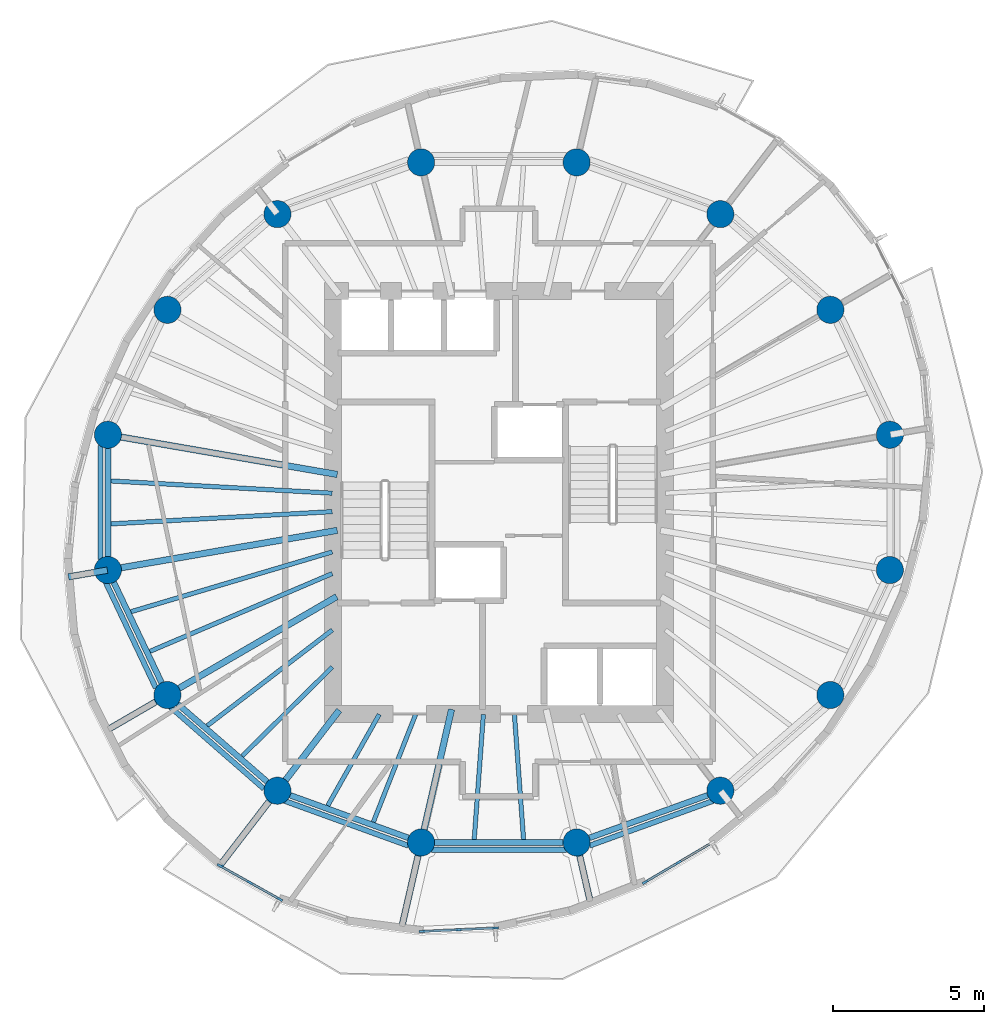
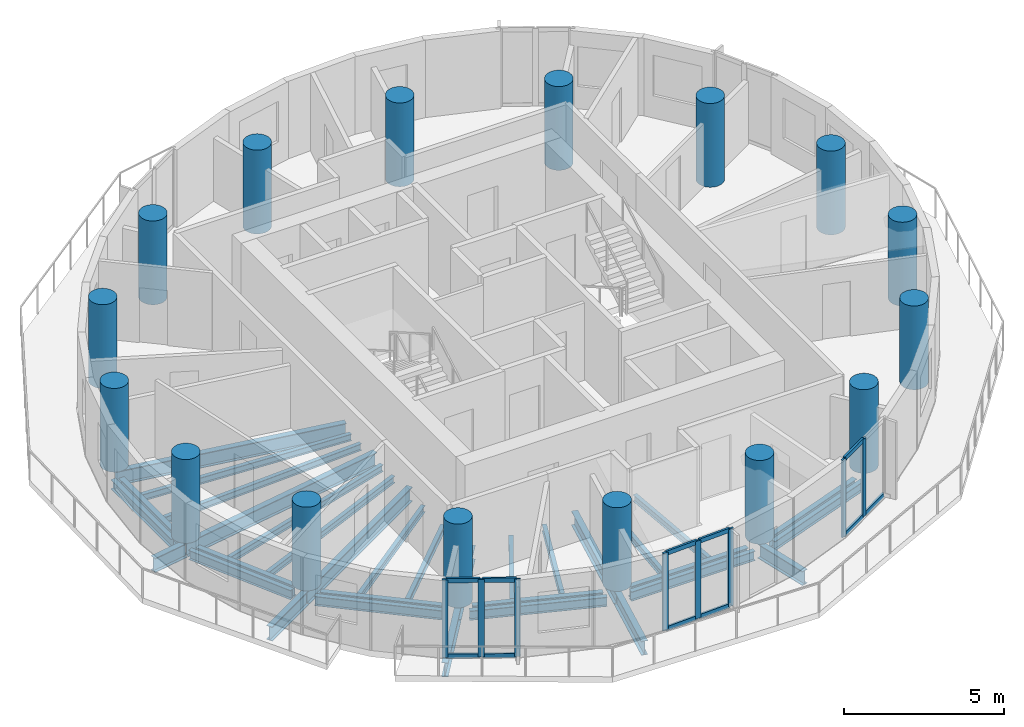
# One storey, part 1 of 10: 32 beams, 19 members, 16 columns, 3 elements without a shape of their own.
"""IFC4 building model written with IfcOpenShell, lengths in metres."""

from ifc_helpers import new_model, si_unit, direction, frame, origin, origin_2d, place, context, subcontext, project, spatial, rectangle, circle, i_section, extrude, material, material_profile, profile_set, type_object, element, aggregate, save


model = new_model("IFC4")

# Units and contexts
model_context = context("Model", 3, precision=1e-05, world=origin(), true_north=direction((0.0, 1.0)))
body_context = subcontext(model_context, "Body", "Model", "MODEL_VIEW")
ifc_project = project(units=[si_unit("LENGTHUNIT", "METRE"), si_unit("AREAUNIT", "SQUARE_METRE"), si_unit("VOLUMEUNIT", "CUBIC_METRE"), si_unit("PLANEANGLEUNIT", "RADIAN"), si_unit("MASSUNIT", "GRAM", prefix="KILO")], contexts=[model_context])

# Site, building, storey
site_placement = place(None, origin())
site = spatial("IfcSite", under=ifc_project, at=site_placement, CompositionType="ELEMENT")
building_placement = place(site_placement, origin())
building = spatial("IfcBuilding", under=site, at=building_placement, Name="Veldorim Arch Residences", CompositionType="ELEMENT")
storey_placement = place(building_placement, frame((0.0, 0.0, 179.0400390625)))
storey = spatial("IfcBuildingStorey", under=building, at=storey_placement, Name="L53", CompositionType="ELEMENT", Elevation=179.0400390625)

# Columns
ifc_material_1 = material(Name="Concrete C50/60", Category="concrete")
ifc_material_profile_1 = material_profile(ifc_material_1, circle(Radius=0.449951171875, at=origin_2d()), Name="RC_CIRC_900")
ifc_profile_set_1 = profile_set([ifc_material_profile_1], Name="Concrete C50/60")
column_type = type_object("IfcColumnType", Name="Structural Column RC_CIRC_900", PredefinedType="COLUMN", material=ifc_profile_set_1)
for number, where, z_axis, x_axis, name in (
    (1, (44.9462890625, 26.239501953125, 0.0), (0.0, 0.0, 1.0), (1.0, 0.0, 0.0), "L53 TC-Z4-01 perimeter column"),
    (2, (42.975341796875, 30.3779296875, 0.0), (0.0, 0.0, 1.0), (1.0, 0.0, 0.0), "L53 TC-Z4-02 perimeter column"),
    (3, (39.33349609375, 33.54541015625, 0.0), (0.0, 0.0, 1.0), (1.0, 0.0, 0.0), "L53 TC-Z4-03 perimeter column"),
    (4, (34.5751953125, 35.259521484375, 0.0), (0.0, 0.0, 1.0), (1.0, 0.0, 0.0), "L53 TC-Z4-04 perimeter column"),
    (5, (29.4248046875, 35.259521484375, 0.0), (0.0, 0.0, 1.0), (1.0, 0.0, 0.0), "L53 TC-Z4-05 perimeter column"),
    (6, (24.66650390625, 33.54541015625, 0.0), (0.0, 0.0, 1.0), (1.0, 0.0, 0.0), "L53 TC-Z4-06 perimeter column"),
    (7, (21.024658203125, 30.3779296875, 0.0), (0.0, 0.0, 1.0), (1.0, 0.0, 0.0), "L53 TC-Z4-07 perimeter column"),
    (8, (19.0537109375, 26.239501953125, 0.0), (0.0, 0.0, 1.0), (1.0, 0.0, 0.0), "L53 TC-Z4-08 perimeter column"),
    (9, (19.0537109375, 21.760498046875, 0.0), (0.0, 0.0, 1.0), (1.0, 0.0, 0.0), "L53 TC-Z4-09 perimeter column"),
    (10, (21.024658203125, 17.6220703125, 0.0), (0.0, 0.0, 1.0), (1.0, 0.0, 0.0), "L53 TC-Z4-10 perimeter column"),
    (11, (24.66650390625, 14.45458984375, 0.0), (0.0, 0.0, 1.0), (1.0, 0.0, 0.0), "L53 TC-Z4-11 perimeter column"),
    (12, (29.4248046875, 12.740478515625, 0.0), (0.0, 0.0, 1.0), (1.0, 0.0, 0.0), "L53 TC-Z4-12 perimeter column"),
    (13, (34.5751953125, 12.740478515625, 0.0), (0.0, 0.0, 1.0), (1.0, 0.0, 0.0), "L53 TC-Z4-13 perimeter column"),
    (14, (39.33349609375, 14.45458984375, 0.0), (0.0, 0.0, 1.0), (1.0, 0.0, 0.0), "L53 TC-Z4-14 perimeter column"),
    (15, (42.975341796875, 17.6220703125, 0.0), (0.0, 0.0, 1.0), (1.0, 0.0, 0.0), "L53 TC-Z4-15 perimeter column"),
    (16, (44.9462890625, 21.760498046875, 0.0), (0.0, 0.0, 1.0), (1.0, 0.0, 0.0), "L53 TC-Z4-16 perimeter column"),
):
    element("IfcColumn", number, at=place(storey_placement, frame(where, z_axis=z_axis, x_axis=x_axis)), inside=storey, type_object=column_type, Name=name, PredefinedType="COLUMN", context=body_context, shape_type="SweptSolid", body=[
        extrude(circle(Radius=0.449951171875, at=origin_2d()), origin(), (0.0, 0.0, 1.0), 3.199951171875),
    ])

# Beams
ifc_material_2 = material(Name="Steel S355", Category="steel")
ifc_material_profile_2 = material_profile(ifc_material_2, i_section(OverallWidth=0.2119140625, OverallDepth=0.54443359375, WebThickness=0.0126953125, FlangeThickness=0.021240234375, at=origin_2d()), Name="UB533x210x122")
ifc_profile_set_2 = profile_set([ifc_material_profile_2], Name="Steel S355")
beam_type_1 = type_object("IfcBeamType", Name="Structural Steel Beam UB533x210x122", PredefinedType="BEAM", material=ifc_profile_set_2)
for number, where, z_axis, x_axis, name in (
    (17, (26.647705078125, 24.92578125, -0.512451171875), (-0.985364974081, 0.170457818401, 0.0), (-0.170457818401, -0.985364974081, 0.0), "L53 radial floor girder 08"),
    (18, (26.647705078125, 23.07421875, -0.512451171875), (-0.985364974081, -0.170457818401, 0.0), (0.170457818401, -0.985364974081, 0.0), "L53 radial floor girder 09"),
):
    element("IfcBeam", number, at=place(storey_placement, frame(where, z_axis=z_axis, x_axis=x_axis)), inside=storey, type_object=beam_type_1, Name=name, PredefinedType="BEAM", context=body_context, shape_type="SweptSolid", body=[
        extrude(i_section(OverallWidth=0.2119140625, OverallDepth=0.54443359375, WebThickness=0.0126953125, FlangeThickness=0.021240234375, at=origin_2d()), origin(), (0.0, 0.0, 1.0), 7.68701171875),
    ])
beam_1_placement = place(storey_placement, frame((19.033935546875, 21.757080078125, -0.512451171875), z_axis=(-0.985349902199, -0.170544921461, 0.0), x_axis=(0.170544921461, -0.985349902199, 0.0)))
element("IfcBeam", 19, at=beam_1_placement, inside=storey, type_object=beam_type_1, Name="L53 radial edge cantilever girder 09", PredefinedType="BEAM", context=body_context, shape_type="SweptSolid", body=[
    extrude(i_section(OverallWidth=0.2119140625, OverallDepth=0.54443359375, WebThickness=0.0126953125, FlangeThickness=0.021240234375, at=origin_2d()), origin(), (0.0, 0.0, 1.0), 1.306884765625),
])
beam_2_placement = place(storey_placement, frame((26.629638671875, 20.87939453125, -0.512451171875), z_axis=(-0.864595736304, -0.502468121142, 0.0), x_axis=(0.502468121142, -0.864595736304, 0.0)))
element("IfcBeam", 20, at=beam_2_placement, inside=storey, type_object=beam_type_1, Name="L53 radial floor girder 10", PredefinedType="BEAM", context=body_context, shape_type="SweptSolid", body=[
    extrude(i_section(OverallWidth=0.2119140625, OverallDepth=0.54443359375, WebThickness=0.0126953125, FlangeThickness=0.021240234375, at=origin_2d()), origin(), (0.0, 0.0, 1.0), 6.462646484375),
])
beam_3_placement = place(storey_placement, frame((21.00732421875, 17.612060546875, -0.512451171875), z_axis=(-0.86459242159, -0.50247382472, 0.0), x_axis=(0.50247382472, -0.86459242159, 0.0)))
element("IfcBeam", 21, at=beam_3_placement, inside=storey, type_object=beam_type_1, Name="L53 radial edge cantilever girder 10", PredefinedType="BEAM", context=body_context, shape_type="SweptSolid", body=[
    extrude(i_section(OverallWidth=0.2119140625, OverallDepth=0.54443359375, WebThickness=0.0126953125, FlangeThickness=0.021240234375, at=origin_2d()), origin(), (0.0, 0.0, 1.0), 2.315185546875),
])
beam_4_placement = place(storey_placement, frame((26.71337890625, 17.118896484375, -0.512451171875), z_axis=(-0.609258442308, -0.792971721108, 0.0), x_axis=(0.792971721108, -0.609258442308, 0.0)))
element("IfcBeam", 22, at=beam_4_placement, inside=storey, type_object=beam_type_1, Name="L53 radial floor girder 11", PredefinedType="BEAM", context=body_context, shape_type="SweptSolid", body=[
    extrude(i_section(OverallWidth=0.2119140625, OverallDepth=0.54443359375, WebThickness=0.0126953125, FlangeThickness=0.021240234375, at=origin_2d()), origin(), (0.0, 0.0, 1.0), 3.339599609375),
])
beam_5_placement = place(storey_placement, frame((24.654296875, 14.438720703125, -0.512451171875), z_axis=(-0.609273468497, -0.792960175914, 0.0), x_axis=(0.792960175914, -0.609273468497, 0.0)))
element("IfcBeam", 23, at=beam_5_placement, inside=storey, type_object=beam_type_1, Name="L53 radial edge cantilever girder 11", PredefinedType="BEAM", context=body_context, shape_type="SweptSolid", body=[
    extrude(i_section(OverallWidth=0.2119140625, OverallDepth=0.54443359375, WebThickness=0.0126953125, FlangeThickness=0.021240234375, at=origin_2d()), origin(), (0.0, 0.0, 1.0), 3.103515625),
])
beam_6_placement = place(storey_placement, frame((30.432373046875, 17.146240234375, -0.512451171875), z_axis=(-0.222952976993, -0.97482920045, 0.0), x_axis=(0.97482920045, -0.222952976993, 0.0)))
element("IfcBeam", 24, at=beam_6_placement, inside=storey, type_object=beam_type_1, Name="L53 radial floor girder 12", PredefinedType="BEAM", context=body_context, shape_type="SweptSolid", body=[
    extrude(i_section(OverallWidth=0.2119140625, OverallDepth=0.54443359375, WebThickness=0.0126953125, FlangeThickness=0.021240234375, at=origin_2d()), origin(), (0.0, 0.0, 1.0), 4.49951171875),
])
beam_7_placement = place(storey_placement, frame((29.42041015625, 12.72119140625, -0.512451171875), z_axis=(-0.222932038034, -0.974833989158, 0.0), x_axis=(0.974833989158, -0.222932038034, 0.0)))
element("IfcBeam", 25, at=beam_7_placement, inside=storey, type_object=beam_type_1, Name="L53 radial edge cantilever girder 12", PredefinedType="BEAM", context=body_context, shape_type="SweptSolid", body=[
    extrude(i_section(OverallWidth=0.2119140625, OverallDepth=0.54443359375, WebThickness=0.0126953125, FlangeThickness=0.021240234375, at=origin_2d()), origin(), (0.0, 0.0, 1.0), 2.9052734375),
])
beam_8_placement = place(storey_placement, frame((34.57958984375, 12.72119140625, -0.512451171875), z_axis=(0.222995587315, -0.974819454073, 0.0), x_axis=(0.974819454073, 0.222995587315, 0.0)))
element("IfcBeam", 26, at=beam_8_placement, inside=storey, type_object=beam_type_1, Name="L53 radial edge cantilever girder 13", PredefinedType="BEAM", context=body_context, shape_type="SweptSolid", body=[
    extrude(i_section(OverallWidth=0.2119140625, OverallDepth=0.54443359375, WebThickness=0.0126953125, FlangeThickness=0.021240234375, at=origin_2d()), origin(), (0.0, 0.0, 1.0), 2.05712890625),
])
ifc_material_3 = material(Name="Steel S355", Category="steel")
ifc_material_profile_3 = material_profile(ifc_material_3, i_section(OverallWidth=0.146484375, OverallDepth=0.256103515625, WebThickness=0.00634765625, FlangeThickness=0.010986328125, at=origin_2d()), Name="UB254x146x37")
ifc_profile_set_3 = profile_set([ifc_material_profile_3], Name="Steel S355")
beam_type_2 = type_object("IfcBeamType", Name="Structural Steel Joist UB254x146x37", PredefinedType="JOIST", material=ifc_profile_set_3)
for number, where, z_axis, x_axis, name in (
    (27, (26.47998046875, 24.3056640625, -0.367919921875), (-0.998472000884, 0.055259962464, 0.0), (-0.055259962464, -0.998472000884, 0.0), "L53 secondary radial floor joist 08-1"),
    (28, (26.47998046875, 23.6943359375, -0.367919921875), (-0.998472000884, -0.055259962464, 0.0), (0.055259962464, -0.998472000884, 0.0), "L53 secondary radial floor joist 08-2"),
):
    element("IfcBeam", number, at=place(storey_placement, frame(where, z_axis=z_axis, x_axis=x_axis)), inside=storey, type_object=beam_type_2, Name=name, PredefinedType="JOIST", context=body_context, shape_type="SweptSolid", body=[
        extrude(i_section(OverallWidth=0.146484375, OverallDepth=0.256103515625, WebThickness=0.00634765625, FlangeThickness=0.010986328125, at=origin_2d()), origin(), (0.0, 0.0, 1.0), 7.33837890625),
    ])
beam_9_placement = place(storey_placement, frame((26.480712890625, 22.360595703125, -0.367919921875), z_axis=(-0.958594432792, -0.284774846889, 0.0), x_axis=(0.284774846889, -0.958594432792, 0.0)))
element("IfcBeam", 29, at=beam_9_placement, inside=storey, type_object=beam_type_2, Name="L53 secondary radial floor joist 09-1", PredefinedType="JOIST", context=body_context, shape_type="SweptSolid", body=[
    extrude(i_section(OverallWidth=0.146484375, OverallDepth=0.256103515625, WebThickness=0.00634765625, FlangeThickness=0.010986328125, at=origin_2d()), origin(), (0.0, 0.0, 1.0), 6.949462890625),
])
beam_10_placement = place(storey_placement, frame((26.481689453125, 21.644287109375, -0.367919921875), z_axis=(-0.919725161652, -0.392562895629, 0.0), x_axis=(0.392562895629, -0.919725161652, 0.0)))
element("IfcBeam", 30, at=beam_10_placement, inside=storey, type_object=beam_type_2, Name="L53 secondary radial floor joist 09-2", PredefinedType="JOIST", context=body_context, shape_type="SweptSolid", body=[
    extrude(i_section(OverallWidth=0.146484375, OverallDepth=0.256103515625, WebThickness=0.00634765625, FlangeThickness=0.010986328125, at=origin_2d()), origin(), (0.0, 0.0, 1.0), 6.5625),
])
beam_11_placement = place(storey_placement, frame((26.484130859375, 19.777099609375, -0.367919921875), z_axis=(-0.794013672216, -0.607899899929, 0.0), x_axis=(0.607899899929, -0.794013672216, 0.0)))
element("IfcBeam", 31, at=beam_11_placement, inside=storey, type_object=beam_type_2, Name="L53 secondary radial floor joist 10-1", PredefinedType="JOIST", context=body_context, shape_type="SweptSolid", body=[
    extrude(i_section(OverallWidth=0.146484375, OverallDepth=0.256103515625, WebThickness=0.00634765625, FlangeThickness=0.010986328125, at=origin_2d()), origin(), (0.0, 0.0, 1.0), 5.217041015625),
])
beam_12_placement = place(storey_placement, frame((26.48583984375, 18.55224609375, -0.367919921875), z_axis=(-0.711396725432, -0.702790650937, 0.0), x_axis=(0.702790650937, -0.711396725432, 0.0)))
element("IfcBeam", 32, at=beam_12_placement, inside=storey, type_object=beam_type_2, Name="L53 secondary radial floor joist 10-2", PredefinedType="JOIST", context=body_context, shape_type="SweptSolid", body=[
    extrude(i_section(OverallWidth=0.146484375, OverallDepth=0.256103515625, WebThickness=0.00634765625, FlangeThickness=0.010986328125, at=origin_2d()), origin(), (0.0, 0.0, 1.0), 4.198486328125),
])
beam_13_placement = place(storey_placement, frame((28.039794921875, 16.982666015625, -0.367919921875), z_axis=(-0.491452469585, -0.870904397818, 0.0), x_axis=(0.870904397818, -0.491452469585, 0.0)))
element("IfcBeam", 33, at=beam_13_placement, inside=storey, type_object=beam_type_2, Name="L53 secondary radial floor joist 11-1", PredefinedType="JOIST", context=body_context, shape_type="SweptSolid", body=[
    extrude(i_section(OverallWidth=0.146484375, OverallDepth=0.256103515625, WebThickness=0.00634765625, FlangeThickness=0.010986328125, at=origin_2d()), origin(), (0.0, 0.0, 1.0), 3.472412109375),
])
beam_14_placement = place(storey_placement, frame((29.24365234375, 16.9814453125, -0.367919921875), z_axis=(-0.365581383042, -0.930779379001, 0.0), x_axis=(0.930779379001, -0.365581383042, 0.0)))
element("IfcBeam", 34, at=beam_14_placement, inside=storey, type_object=beam_type_2, Name="L53 secondary radial floor joist 11-2", PredefinedType="JOIST", context=body_context, shape_type="SweptSolid", body=[
    extrude(i_section(OverallWidth=0.146484375, OverallDepth=0.256103515625, WebThickness=0.00634765625, FlangeThickness=0.010986328125, at=origin_2d()), origin(), (0.0, 0.0, 1.0), 3.83056640625),
])
for number, where, z_axis, x_axis, name in (
    (35, (31.486083984375, 16.97998046875, -0.367919921875), (-0.072985625899, -0.997332992742, 0.0), (0.997332992742, -0.072985625899, 0.0), "L53 secondary radial floor joist 12-1"),
    (36, (32.513916015625, 16.97998046875, -0.367919921875), (0.072985625899, -0.997332992742, 0.0), (0.997332992742, 0.072985625899, 0.0), "L53 secondary radial floor joist 12-2"),
):
    element("IfcBeam", number, at=place(storey_placement, frame(where, z_axis=z_axis, x_axis=x_axis)), inside=storey, type_object=beam_type_2, Name=name, PredefinedType="JOIST", context=body_context, shape_type="SweptSolid", body=[
        extrude(i_section(OverallWidth=0.146484375, OverallDepth=0.256103515625, WebThickness=0.00634765625, FlangeThickness=0.010986328125, at=origin_2d()), origin(), (0.0, 0.0, 1.0), 4.151123046875),
    ])
ifc_material_4 = material(Name="Steel S355", Category="steel")
ifc_material_profile_4 = material_profile(ifc_material_4, i_section(OverallWidth=0.172119140625, OverallDepth=0.35791015625, WebThickness=0.008056640625, FlangeThickness=0.012939453125, at=origin_2d()), Name="UB356x171x57")
ifc_profile_set_4 = profile_set([ifc_material_profile_4], Name="Steel S355")
beam_type_3 = type_object("IfcBeamType", Name="Structural Steel Spandrel UB356x171x57", PredefinedType="SPANDREL", material=ifc_profile_set_4)
beam_15_placement = place(storey_placement, frame((18.809814453125, 25.8857421875, -0.43896484375), z_axis=(0.0, -1.0, 0.0), x_axis=(1.0, 0.0, 0.0)))
element("IfcBeam", 37, at=beam_15_placement, inside=storey, type_object=beam_type_3, Name="L53 perimeter chord spandrel beam 08", PredefinedType="SPANDREL", context=body_context, shape_type="SweptSolid", body=[
    extrude(i_section(OverallWidth=0.172119140625, OverallDepth=0.35791015625, WebThickness=0.008056640625, FlangeThickness=0.012939453125, at=origin_2d()), origin(), (0.0, 0.0, 1.0), 3.771484375),
])
beam_16_placement = place(storey_placement, frame((18.9794921875, 21.3603515625, -0.43896484375), z_axis=(0.428408308939, -0.903585259304, 0.0), x_axis=(0.903585259304, 0.428408308939, 0.0)))
element("IfcBeam", 38, at=beam_16_placement, inside=storey, type_object=beam_type_3, Name="L53 perimeter chord spandrel beam 09", PredefinedType="SPANDREL", context=body_context, shape_type="SweptSolid", body=[
    extrude(i_section(OverallWidth=0.172119140625, OverallDepth=0.35791015625, WebThickness=0.008056640625, FlangeThickness=0.012939453125, at=origin_2d()), origin(), (0.0, 0.0, 1.0), 3.878662109375),
])
beam_17_placement = place(storey_placement, frame((21.108642578125, 17.237060546875, -0.43896484375), z_axis=(0.752847646119, -0.6581948205, 0.0), x_axis=(0.6581948205, 0.752847646119, 0.0)))
element("IfcBeam", 39, at=beam_17_placement, inside=storey, type_object=beam_type_3, Name="L53 perimeter chord spandrel beam 10", PredefinedType="SPANDREL", context=body_context, shape_type="SweptSolid", body=[
    extrude(i_section(OverallWidth=0.172119140625, OverallDepth=0.35791015625, WebThickness=0.008056640625, FlangeThickness=0.012939453125, at=origin_2d()), origin(), (0.0, 0.0, 1.0), 4.12939453125),
])
beam_18_placement = place(storey_placement, frame((24.887939453125, 14.12353515625, -0.43896484375), z_axis=(0.940164695555, -0.340720332871, 0.0), x_axis=(0.340720332871, 0.940164695555, 0.0)))
element("IfcBeam", 40, at=beam_18_placement, inside=storey, type_object=beam_type_3, Name="L53 perimeter chord spandrel beam 11", PredefinedType="SPANDREL", context=body_context, shape_type="SweptSolid", body=[
    extrude(i_section(OverallWidth=0.172119140625, OverallDepth=0.35791015625, WebThickness=0.008056640625, FlangeThickness=0.012939453125, at=origin_2d()), origin(), (0.0, 0.0, 1.0), 4.370849609375),
])
beam_19_placement = place(storey_placement, frame((29.765625, 12.499267578125, -0.43896484375), z_axis=(1.0, 0.0, 0.0), x_axis=(0.0, 1.0, 0.0)))
element("IfcBeam", 41, at=beam_19_placement, inside=storey, type_object=beam_type_3, Name="L53 perimeter chord spandrel beam 12", PredefinedType="SPANDREL", context=body_context, shape_type="SweptSolid", body=[
    extrude(i_section(OverallWidth=0.172119140625, OverallDepth=0.35791015625, WebThickness=0.008056640625, FlangeThickness=0.012939453125, at=origin_2d()), origin(), (0.0, 0.0, 1.0), 4.46875),
])
beam_20_placement = place(storey_placement, frame((35.002685546875, 12.63427734375, -0.43896484375), z_axis=(0.940164695555, 0.340720332871, 0.0), x_axis=(-0.340720332871, 0.940164695555, 0.0)))
element("IfcBeam", 42, at=beam_20_placement, inside=storey, type_object=beam_type_3, Name="L53 perimeter chord spandrel beam 13", PredefinedType="SPANDREL", context=body_context, shape_type="SweptSolid", body=[
    extrude(i_section(OverallWidth=0.172119140625, OverallDepth=0.35791015625, WebThickness=0.008056640625, FlangeThickness=0.012939453125, at=origin_2d()), origin(), (0.0, 0.0, 1.0), 4.370849609375),
])
ifc_material_5 = material(Name="Steel S355", Category="steel")
ifc_material_profile_5 = material_profile(ifc_material_5, i_section(OverallWidth=0.19140625, OverallDepth=0.4599609375, WebThickness=0.010009765625, FlangeThickness=0.01611328125, at=origin_2d()), Name="UB457x191x82")
ifc_profile_set_5 = profile_set([ifc_material_profile_5], Name="Steel S355")
beam_type_4 = type_object("IfcBeamType", Name="Structural Steel Spandrel UB457x191x82", PredefinedType="SPANDREL", material=ifc_profile_set_5)
beam_21_placement = place(storey_placement, frame((19.0537109375, 25.78955078125, -0.469970703125), z_axis=(0.0, -1.0, 0.0), x_axis=(1.0, 0.0, 0.0)))
element("IfcBeam", 43, at=beam_21_placement, inside=storey, type_object=beam_type_4, Name="L53 perimeter ring tie beam 08", PredefinedType="SPANDREL", context=body_context, shape_type="SweptSolid", body=[
    extrude(i_section(OverallWidth=0.19140625, OverallDepth=0.4599609375, WebThickness=0.010009765625, FlangeThickness=0.01611328125, at=origin_2d()), origin(), (0.0, 0.0, 1.0), 3.5791015625),
])
beam_22_placement = place(storey_placement, frame((19.2470703125, 21.35400390625, -0.469970703125), z_axis=(0.430005613988, -0.902826213586, 0.0), x_axis=(0.902826213586, 0.430005613988, 0.0)))
element("IfcBeam", 44, at=beam_22_placement, inside=storey, type_object=beam_type_4, Name="L53 perimeter ring tie beam 09", PredefinedType="SPANDREL", context=body_context, shape_type="SweptSolid", body=[
    extrude(i_section(OverallWidth=0.19140625, OverallDepth=0.4599609375, WebThickness=0.010009765625, FlangeThickness=0.01611328125, at=origin_2d()), origin(), (0.0, 0.0, 1.0), 3.68359375),
])
beam_23_placement = place(storey_placement, frame((21.364013671875, 17.326904296875, -0.469970703125), z_axis=(0.754545285701, -0.656247980436, 0.0), x_axis=(0.656247980436, 0.754545285701, 0.0)))
element("IfcBeam", 45, at=beam_23_placement, inside=storey, type_object=beam_type_4, Name="L53 perimeter ring tie beam 10", PredefinedType="SPANDREL", context=body_context, shape_type="SweptSolid", body=[
    extrude(i_section(OverallWidth=0.19140625, OverallDepth=0.4599609375, WebThickness=0.010009765625, FlangeThickness=0.01611328125, at=origin_2d()), origin(), (0.0, 0.0, 1.0), 3.9267578125),
])
beam_24_placement = place(storey_placement, frame((25.08984375, 14.30224609375, -0.469970703125), z_axis=(0.940811035395, -0.338931550137, 0.0), x_axis=(0.338931550137, 0.940811035395, 0.0)))
element("IfcBeam", 46, at=beam_24_placement, inside=storey, type_object=beam_type_4, Name="L53 perimeter ring tie beam 11", PredefinedType="SPANDREL", context=body_context, shape_type="SweptSolid", body=[
    extrude(i_section(OverallWidth=0.19140625, OverallDepth=0.4599609375, WebThickness=0.010009765625, FlangeThickness=0.01611328125, at=origin_2d()), origin(), (0.0, 0.0, 1.0), 4.15771484375),
])
beam_25_placement = place(storey_placement, frame((29.874755859375, 12.740478515625, -0.469970703125), z_axis=(1.0, 0.0, 0.0), x_axis=(0.0, 1.0, 0.0)))
element("IfcBeam", 47, at=beam_25_placement, inside=storey, type_object=beam_type_4, Name="L53 perimeter ring tie beam 12", PredefinedType="SPANDREL", context=body_context, shape_type="SweptSolid", body=[
    extrude(i_section(OverallWidth=0.19140625, OverallDepth=0.4599609375, WebThickness=0.010009765625, FlangeThickness=0.01611328125, at=origin_2d()), origin(), (0.0, 0.0, 1.0), 4.25048828125),
])
beam_26_placement = place(storey_placement, frame((34.99853515625, 12.89306640625, -0.469970703125), z_axis=(0.940811035395, 0.338931550137, 0.0), x_axis=(-0.338931550137, 0.940811035395, 0.0)))
element("IfcBeam", 48, at=beam_26_placement, inside=storey, type_object=beam_type_4, Name="L53 perimeter ring tie beam 13", PredefinedType="SPANDREL", context=body_context, shape_type="SweptSolid", body=[
    extrude(i_section(OverallWidth=0.19140625, OverallDepth=0.4599609375, WebThickness=0.010009765625, FlangeThickness=0.01611328125, at=origin_2d()), origin(), (0.0, 0.0, 1.0), 4.15771484375),
])

# Curtain wall, members
ifc_material_6 = material(Name="Aluminium", Category="aluminium")
curtain_wall_type = type_object("IfcCurtainWallType", Name="Zone 4 High-Altitude Unitised Curtain Wall", PredefinedType="NOTDEFINED", material=ifc_material_6)
curtain_wall_1_placement = place(storey_placement, origin())
curtain_wall_1 = element("IfcCurtainWall", 49, at=curtain_wall_1_placement, inside=storey, type_object=curtain_wall_type, Name="L53 unitised curtain wall bay 20", PredefinedType="NOTDEFINED")
ifc_material_7 = material(Name="Aluminium", Category="aluminium")
ifc_material_profile_6 = material_profile(ifc_material_7, rectangle(XDim=0.074951171875, YDim=0.195068359375, at=origin_2d()), Name="ALU_MUL_75x195")
ifc_profile_set_6 = profile_set([ifc_material_profile_6], Name="Aluminium")
member_type_1 = type_object("IfcMemberType", Name="Zone 4 High-Altitude Unitised Curtain Wall Mullion 75x195", PredefinedType="MULLION", material=ifc_profile_set_6)
member_1_placement = place(storey_placement, frame((24.74609375, 10.85986328125, 0.0), z_axis=(0.0, 0.0, 1.0), x_axis=(-0.487736356175, -0.872990977539, 0.0)))
member_1 = element("IfcMember", 50, at=member_1_placement, type_object=member_type_1, Name="CW-Z4 mullion 1", PredefinedType="MULLION", context=body_context, shape_type="SweptSolid", body=[
    extrude(rectangle(XDim=0.074951171875, YDim=0.195068359375, at=origin_2d()), origin(), (0.0, 0.0, 1.0), 2.9599609375),
])
member_2_placement = place(storey_placement, frame((23.75439453125, 11.413818359375, 0.0), z_axis=(0.0, 0.0, 1.0), x_axis=(-0.487736356175, -0.872990977539, 0.0)))
member_2 = element("IfcMember", 51, at=member_2_placement, type_object=member_type_1, Name="CW-Z4 mullion 2", PredefinedType="MULLION", context=body_context, shape_type="SweptSolid", body=[
    extrude(rectangle(XDim=0.074951171875, YDim=0.195068359375, at=origin_2d()), origin(), (0.0, 0.0, 1.0), 2.9599609375),
])
member_3_placement = place(storey_placement, frame((22.762939453125, 11.9677734375, 0.0), z_axis=(0.0, 0.0, 1.0), x_axis=(-0.487736356175, -0.872990977539, 0.0)))
member_3 = element("IfcMember", 52, at=member_3_placement, type_object=member_type_1, Name="CW-Z4 mullion 3", PredefinedType="MULLION", context=body_context, shape_type="SweptSolid", body=[
    extrude(rectangle(XDim=0.074951171875, YDim=0.195068359375, at=origin_2d()), origin(), (0.0, 0.0, 1.0), 2.9599609375),
])

curtain_wall_2_placement = place(storey_placement, origin())
curtain_wall_2 = element("IfcCurtainWall", 53, at=curtain_wall_2_placement, inside=storey, type_object=curtain_wall_type, Name="L53 unitised curtain wall bay 23", PredefinedType="NOTDEFINED")
member_4_placement = place(storey_placement, frame((31.883544921875, 9.90771484375, 0.0), z_axis=(0.0, 0.0, 1.0), x_axis=(0.046678409438, -0.998909968962, 0.0)))
member_4 = element("IfcMember", 54, at=member_4_placement, type_object=member_type_1, Name="CW-Z4 mullion 1", PredefinedType="MULLION", context=body_context, shape_type="SweptSolid", body=[
    extrude(rectangle(XDim=0.074951171875, YDim=0.195068359375, at=origin_2d()), origin(), (0.0, 0.0, 1.0), 2.9599609375),
])
member_5_placement = place(storey_placement, frame((30.671142578125, 9.85107421875, 0.0), z_axis=(0.0, 0.0, 1.0), x_axis=(0.046678409438, -0.998909968962, 0.0)))
member_5 = element("IfcMember", 55, at=member_5_placement, type_object=member_type_1, Name="CW-Z4 mullion 2", PredefinedType="MULLION", context=body_context, shape_type="SweptSolid", body=[
    extrude(rectangle(XDim=0.074951171875, YDim=0.195068359375, at=origin_2d()), origin(), (0.0, 0.0, 1.0), 2.9599609375),
])
member_6_placement = place(storey_placement, frame((29.458984375, 9.79443359375, 0.0), z_axis=(0.0, 0.0, 1.0), x_axis=(0.046678409438, -0.998909968962, 0.0)))
member_6 = element("IfcMember", 56, at=member_6_placement, type_object=member_type_1, Name="CW-Z4 mullion 3", PredefinedType="MULLION", context=body_context, shape_type="SweptSolid", body=[
    extrude(rectangle(XDim=0.074951171875, YDim=0.195068359375, at=origin_2d()), origin(), (0.0, 0.0, 1.0), 2.9599609375),
])

curtain_wall_3_placement = place(storey_placement, origin())
curtain_wall_3 = element("IfcCurtainWall", 57, at=curtain_wall_3_placement, inside=storey, type_object=curtain_wall_type, Name="L53 unitised curtain wall bay 26", PredefinedType="NOTDEFINED")
member_7_placement = place(storey_placement, frame((37.949462890625, 12.080078125, 0.0), z_axis=(0.0, 0.0, 1.0), x_axis=(0.508514317139, -0.861053534494, 0.0)))
member_7 = element("IfcMember", 58, at=member_7_placement, type_object=member_type_1, Name="CW-Z4 mullion 2", PredefinedType="MULLION", context=body_context, shape_type="SweptSolid", body=[
    extrude(rectangle(XDim=0.074951171875, YDim=0.195068359375, at=origin_2d()), origin(), (0.0, 0.0, 1.0), 2.9599609375),
])
member_8_placement = place(storey_placement, frame((36.841552734375, 11.42578125, 0.0), z_axis=(0.0, 0.0, 1.0), x_axis=(0.508514317139, -0.861053534494, 0.0)))
member_8 = element("IfcMember", 59, at=member_8_placement, type_object=member_type_1, Name="CW-Z4 mullion 3", PredefinedType="MULLION", context=body_context, shape_type="SweptSolid", body=[
    extrude(rectangle(XDim=0.074951171875, YDim=0.195068359375, at=origin_2d()), origin(), (0.0, 0.0, 1.0), 2.9599609375),
])

# Member
ifc_material_8 = material(Name="Aluminium", Category="aluminium")
ifc_material_profile_7 = material_profile(ifc_material_8, rectangle(XDim=0.074951171875, YDim=0.1650390625, at=origin_2d()), Name="ALU_TRN_75x165")
ifc_profile_set_7 = profile_set([ifc_material_profile_7], Name="Aluminium")
member_type_2 = type_object("IfcMemberType", Name="Zone 4 High-Altitude Unitised Curtain Wall Transom 75x165", PredefinedType="USERDEFINED", material=ifc_profile_set_7)
member_9_placement = place(storey_placement, frame((24.71337890625, 10.878173828125, 0.037353515625), z_axis=(-0.873058743118, 0.487615043929, 0.0), x_axis=(-0.487615043929, -0.873058743118, 0.0)))
member_9 = element("IfcMember", 60, at=member_9_placement, type_object=member_type_2, Name="CW-Z4 transom 1.1", ObjectType="TRANSOM", PredefinedType="USERDEFINED", context=body_context, shape_type="SweptSolid", body=[
    extrude(rectangle(XDim=0.074951171875, YDim=0.1650390625, at=origin_2d()), origin(), (0.0, 0.0, 1.0), 1.06103515625),
])

member_10_placement = place(storey_placement, frame((24.71337890625, 10.878173828125, 2.92236328125), z_axis=(-0.873058743118, 0.487615043929, 0.0), x_axis=(-0.487615043929, -0.873058743118, 0.0)))
member_10 = element("IfcMember", 61, at=member_10_placement, type_object=member_type_2, Name="CW-Z4 transom 1.2", ObjectType="TRANSOM", PredefinedType="USERDEFINED", context=body_context, shape_type="SweptSolid", body=[
    extrude(rectangle(XDim=0.074951171875, YDim=0.1650390625, at=origin_2d()), origin(), (0.0, 0.0, 1.0), 1.06103515625),
])

member_11_placement = place(storey_placement, frame((23.7216796875, 11.43212890625, 0.037353515625), z_axis=(-0.87300401239, 0.487713024586, 0.0), x_axis=(-0.487713024586, -0.87300401239, 0.0)))
member_11 = element("IfcMember", 62, at=member_11_placement, type_object=member_type_2, Name="CW-Z4 transom 2.1", ObjectType="TRANSOM", PredefinedType="USERDEFINED", context=body_context, shape_type="SweptSolid", body=[
    extrude(rectangle(XDim=0.074951171875, YDim=0.1650390625, at=origin_2d()), origin(), (0.0, 0.0, 1.0), 1.060791015625),
])

member_12_placement = place(storey_placement, frame((23.7216796875, 11.43212890625, 2.92236328125), z_axis=(-0.87300401239, 0.487713024586, 0.0), x_axis=(-0.487713024586, -0.87300401239, 0.0)))
member_12 = element("IfcMember", 63, at=member_12_placement, type_object=member_type_2, Name="CW-Z4 transom 2.2", ObjectType="TRANSOM", PredefinedType="USERDEFINED", context=body_context, shape_type="SweptSolid", body=[
    extrude(rectangle(XDim=0.074951171875, YDim=0.1650390625, at=origin_2d()), origin(), (0.0, 0.0, 1.0), 1.060791015625),
])

aggregate(curtain_wall_1, [member_1, member_2, member_3, member_9, member_10, member_11, member_12])

member_13_placement = place(storey_placement, frame((31.84619140625, 9.906005859375, 0.037353515625), z_axis=(-0.998907088117, -0.046740018289, 0.0), x_axis=(0.046740018289, -0.998907088117, 0.0)))
member_13 = element("IfcMember", 64, at=member_13_placement, type_object=member_type_2, Name="CW-Z4 transom 1.1", ObjectType="TRANSOM", PredefinedType="USERDEFINED", context=body_context, shape_type="SweptSolid", body=[
    extrude(rectangle(XDim=0.074951171875, YDim=0.1650390625, at=origin_2d()), origin(), (0.0, 0.0, 1.0), 1.138671875),
])

member_14_placement = place(storey_placement, frame((31.84619140625, 9.906005859375, 2.92236328125), z_axis=(-0.998907088117, -0.046740018289, 0.0), x_axis=(0.046740018289, -0.998907088117, 0.0)))
member_14 = element("IfcMember", 65, at=member_14_placement, type_object=member_type_2, Name="CW-Z4 transom 1.2", ObjectType="TRANSOM", PredefinedType="USERDEFINED", context=body_context, shape_type="SweptSolid", body=[
    extrude(rectangle(XDim=0.074951171875, YDim=0.1650390625, at=origin_2d()), origin(), (0.0, 0.0, 1.0), 1.138671875),
])

member_15_placement = place(storey_placement, frame((30.6337890625, 9.849365234375, 0.037353515625), z_axis=(-0.998907088117, -0.046740018289, 0.0), x_axis=(0.046740018289, -0.998907088117, 0.0)))
member_15 = element("IfcMember", 66, at=member_15_placement, type_object=member_type_2, Name="CW-Z4 transom 2.1", ObjectType="TRANSOM", PredefinedType="USERDEFINED", context=body_context, shape_type="SweptSolid", body=[
    extrude(rectangle(XDim=0.074951171875, YDim=0.1650390625, at=origin_2d()), origin(), (0.0, 0.0, 1.0), 1.138671875),
])

member_16_placement = place(storey_placement, frame((30.6337890625, 9.849365234375, 2.92236328125), z_axis=(-0.998907088117, -0.046740018289, 0.0), x_axis=(0.046740018289, -0.998907088117, 0.0)))
member_16 = element("IfcMember", 67, at=member_16_placement, type_object=member_type_2, Name="CW-Z4 transom 2.2", ObjectType="TRANSOM", PredefinedType="USERDEFINED", context=body_context, shape_type="SweptSolid", body=[
    extrude(rectangle(XDim=0.074951171875, YDim=0.1650390625, at=origin_2d()), origin(), (0.0, 0.0, 1.0), 1.138671875),
])

aggregate(curtain_wall_2, [member_4, member_5, member_6, member_13, member_14, member_15, member_16])

member_17_placement = place(storey_placement, frame((39.025146484375, 12.71533203125, 0.037353515625), z_axis=(-0.861062864329, -0.50849851885, 0.0), x_axis=(0.50849851885, -0.861062864329, 0.0)))
member_17 = element("IfcMember", 68, at=member_17_placement, type_object=member_type_2, Name="CW-Z4 transom 1.1", ObjectType="TRANSOM", PredefinedType="USERDEFINED", context=body_context, shape_type="SweptSolid", body=[
    extrude(rectangle(XDim=0.074951171875, YDim=0.1650390625, at=origin_2d()), origin(), (0.0, 0.0, 1.0), 1.2119140625),
])

member_18_placement = place(storey_placement, frame((37.917236328125, 12.06103515625, 0.037353515625), z_axis=(-0.861062864329, -0.50849851885, 0.0), x_axis=(0.50849851885, -0.861062864329, 0.0)))
member_18 = element("IfcMember", 69, at=member_18_placement, type_object=member_type_2, Name="CW-Z4 transom 2.1", ObjectType="TRANSOM", PredefinedType="USERDEFINED", context=body_context, shape_type="SweptSolid", body=[
    extrude(rectangle(XDim=0.074951171875, YDim=0.1650390625, at=origin_2d()), origin(), (0.0, 0.0, 1.0), 1.2119140625),
])

member_19_placement = place(storey_placement, frame((37.917236328125, 12.06103515625, 2.92236328125), z_axis=(-0.861062864329, -0.50849851885, 0.0), x_axis=(0.50849851885, -0.861062864329, 0.0)))
member_19 = element("IfcMember", 70, at=member_19_placement, type_object=member_type_2, Name="CW-Z4 transom 2.2", ObjectType="TRANSOM", PredefinedType="USERDEFINED", context=body_context, shape_type="SweptSolid", body=[
    extrude(rectangle(XDim=0.074951171875, YDim=0.1650390625, at=origin_2d()), origin(), (0.0, 0.0, 1.0), 1.2119140625),
])

aggregate(curtain_wall_3, [member_7, member_8, member_17, member_18, member_19])

save(model, "model.ifc")
